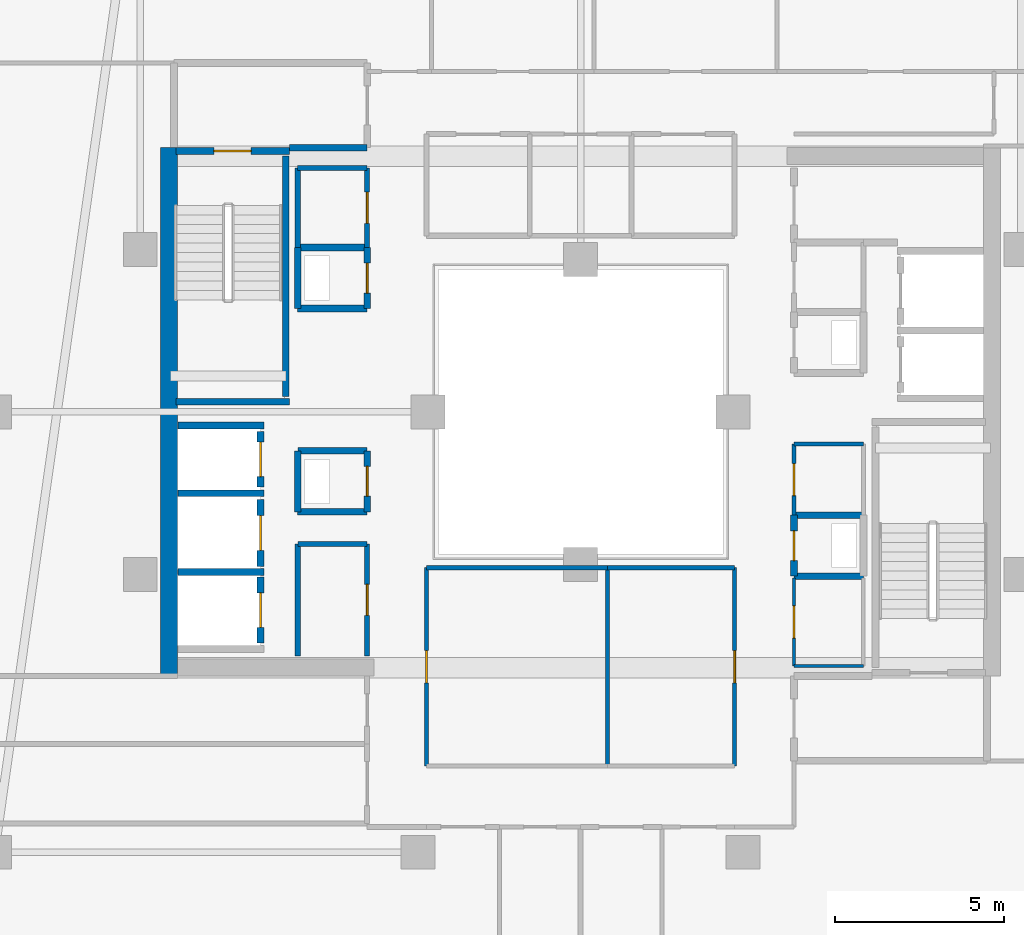
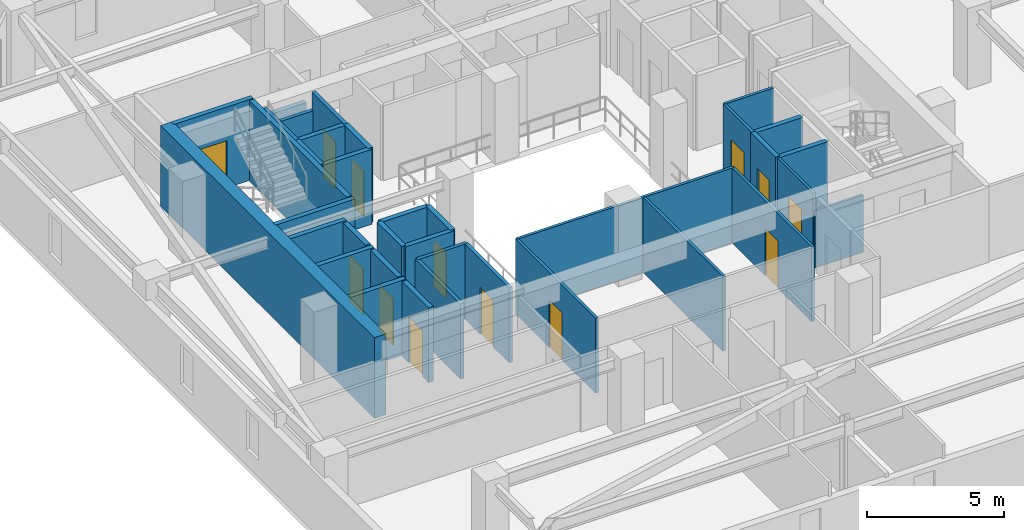
# One storey, part 23 of 32: 37 walls, 13 doors, 13 openings.
"""IFC4 building model written with IfcOpenShell, lengths in metres."""

from ifc_helpers import new_model, si_unit, direction, frame, frame_2d, origin, place, context, subcontext, project, spatial, rectangle, extrude, material, layer, layer_set, type_object, element, fill, save


model = new_model("IFC4")

# Units and contexts
model_context = context("Model", 3, precision=1e-05, world=origin(), true_north=direction((0.0, 1.0)))
body_context = subcontext(model_context, "Body", "Model", "MODEL_VIEW")
ifc_project = project(units=[si_unit("LENGTHUNIT", "METRE"), si_unit("AREAUNIT", "SQUARE_METRE"), si_unit("VOLUMEUNIT", "CUBIC_METRE"), si_unit("PLANEANGLEUNIT", "RADIAN"), si_unit("MASSUNIT", "GRAM", prefix="KILO")], contexts=[model_context])

# Site, building, storey
site_placement = place(None, origin())
site = spatial("IfcSite", under=ifc_project, at=site_placement, CompositionType="ELEMENT")
building_placement = place(site_placement, origin())
building = spatial("IfcBuilding", under=site, at=building_placement, Name="Thornwick Lancets Civic Towers", CompositionType="ELEMENT")
storey_placement = place(building_placement, frame((0.0, 0.0, 247.5)))
storey = spatial("IfcBuildingStorey", under=building, at=storey_placement, Name="L66", CompositionType="ELEMENT", Elevation=247.5)

# Wall, opening, door
ifc_material_1 = material(Name="Concrete blockwork C40/50", Category="masonry")
ifc_layer_1 = layer(ifc_material_1, 0.199951171875, Name="Concrete blockwork C40/50")
ifc_layer_set_1 = layer_set([ifc_layer_1], Name="Concrete blockwork C40/50")
wall_type_1 = type_object("IfcWallType", Name="WALL_COMP_200", PredefinedType="STANDARD", material=ifc_layer_set_1)
wall_1_placement = place(storey_placement, frame((79.050048828125, 24.780029296875, 0.0), z_axis=(0.0, 0.0, 1.0), x_axis=(0.0, 1.0, 0.0)))
wall_1 = element("IfcWall", 1, at=wall_1_placement, inside=storey, type_object=wall_type_1, Name="L66 Hoistway Front Wall FL-B2", PredefinedType="STANDARD", context=body_context, shape_type="SweptSolid", body=[
    extrude(rectangle(XDim=1.639892578125, YDim=0.199951171875, at=frame_2d((0.81982421875, 0.0))), origin(), (0.0, 0.0, 1.0), 3.340087890625),
])
opening_1_placement = place(wall_1_placement, frame((0.31005859375, 0.0, 0.0)))
opening_1 = element("IfcOpeningElement", 2, at=opening_1_placement, cuts=wall_1, Name="Opening LD-FL-B2", PredefinedType="OPENING", context=body_context, shape_type="SweptSolid", body=[
    extrude(rectangle(XDim=1.02001953125, YDim=2.06005859375, at=frame_2d((0.510009765625, 1.030029296875))), frame((0.0, 0.10986328125, 0.0), z_axis=(0.0, -1.0, 0.0), x_axis=(1.0, 0.0, 0.0)), (0.0, 0.0, 1.0), 0.219970703125),
])
ifc_material_2 = material(Name="Brushed bronze stainless steel", Category="steel")
door_type_1 = type_object("IfcDoorType", Name="DOOR_LIFT_SLIDE", OperationType="SLIDING_TO_LEFT", PredefinedType="DOOR", material=ifc_material_2)
door_1_placement = place(opening_1_placement, origin())
door_1 = element("IfcDoor", 3, at=door_1_placement, inside=storey, type_object=door_type_1, Name="L66 Sliding Lift Landing Door LD-FL-B2", OperationType="SLIDING_TO_LEFT", OverallHeight=2.06005859375, OverallWidth=1.02001953125, PredefinedType="DOOR", context=body_context, shape_type="SweptSolid", body=[
    extrude(rectangle(XDim=1.02001953125, YDim=2.06005859375, at=frame_2d((0.510009765625, 1.030029296875))), frame((0.0, 0.02490234375, 0.0), z_axis=(0.0, -1.0, 0.0), x_axis=(1.0, 0.0, 0.0)), (0.0, 0.0, 1.0), 0.050048828125),
])
fill(opening_1, door_1)

wall_2_placement = place(storey_placement, frame((79.050048828125, 22.429931640625, 0.0), z_axis=(0.0, 0.0, 1.0), x_axis=(0.0, 1.0, 0.0)))
wall_2 = element("IfcWall", 4, at=wall_2_placement, inside=storey, type_object=wall_type_1, Name="L66 Hoistway Front Wall PL-BH2", PredefinedType="STANDARD", context=body_context, shape_type="SweptSolid", body=[
    extrude(rectangle(XDim=1.989990234375, YDim=0.199951171875, at=frame_2d((0.9951171875, 0.0))), origin(), (0.0, 0.0, 1.0), 3.340087890625),
])
opening_2_placement = place(wall_2_placement, frame((0.485107421875, 0.0, 0.0)))
opening_2 = element("IfcOpeningElement", 5, at=opening_2_placement, cuts=wall_2, Name="Opening LD-PL-BH2", PredefinedType="OPENING", context=body_context, shape_type="SweptSolid", body=[
    extrude(rectangle(XDim=1.02001953125, YDim=2.06005859375, at=frame_2d((0.510009765625, 1.030029296875))), frame((0.0, 0.10986328125, 0.0), z_axis=(0.0, -1.0, 0.0), x_axis=(1.0, 0.0, 0.0)), (0.0, 0.0, 1.0), 0.219970703125),
])
door_2_placement = place(opening_2_placement, origin())
door_2 = element("IfcDoor", 6, at=door_2_placement, inside=storey, type_object=door_type_1, Name="L66 Sliding Lift Landing Door LD-PL-BH2", OperationType="SLIDING_TO_LEFT", OverallHeight=2.06005859375, OverallWidth=1.02001953125, PredefinedType="DOOR", context=body_context, shape_type="SweptSolid", body=[
    extrude(rectangle(XDim=1.02001953125, YDim=2.06005859375, at=frame_2d((0.510009765625, 1.030029296875))), frame((0.0, 0.02490234375, 0.0), z_axis=(0.0, -1.0, 0.0), x_axis=(1.0, 0.0, 0.0)), (0.0, 0.0, 1.0), 0.050048828125),
])
fill(opening_2, door_2)

wall_3_placement = place(storey_placement, frame((79.050048828125, 20.179931640625, 0.0), z_axis=(0.0, 0.0, 1.0), x_axis=(0.0, 1.0, 0.0)))
wall_3 = element("IfcWall", 7, at=wall_3_placement, inside=storey, type_object=wall_type_1, Name="L66 Hoistway Front Wall PL-BH3", PredefinedType="STANDARD", context=body_context, shape_type="SweptSolid", body=[
    extrude(rectangle(XDim=1.940185546875, YDim=0.199951171875, at=frame_2d((0.97021484375, 0.0))), origin(), (0.0, 0.0, 1.0), 3.340087890625),
])
opening_3_placement = place(wall_3_placement, frame((0.4599609375, 0.0, 0.0)))
opening_3 = element("IfcOpeningElement", 8, at=opening_3_placement, cuts=wall_3, Name="Opening LD-PL-BH3", PredefinedType="OPENING", context=body_context, shape_type="SweptSolid", body=[
    extrude(rectangle(XDim=1.02001953125, YDim=2.06005859375, at=frame_2d((0.510009765625, 1.030029296875))), frame((0.0, 0.10986328125, 0.0), z_axis=(0.0, -1.0, 0.0), x_axis=(1.0, 0.0, 0.0)), (0.0, 0.0, 1.0), 0.219970703125),
])
door_3_placement = place(opening_3_placement, origin())
door_3 = element("IfcDoor", 9, at=door_3_placement, inside=storey, type_object=door_type_1, Name="L66 Sliding Lift Landing Door LD-PL-BH3", OperationType="SLIDING_TO_LEFT", OverallHeight=2.06005859375, OverallWidth=1.02001953125, PredefinedType="DOOR", context=body_context, shape_type="SweptSolid", body=[
    extrude(rectangle(XDim=1.02001953125, YDim=2.06005859375, at=frame_2d((0.510009765625, 1.030029296875))), frame((0.0, 0.02490234375, 0.0), z_axis=(0.0, -1.0, 0.0), x_axis=(1.0, 0.0, 0.0)), (0.0, 0.0, 1.0), 0.050048828125),
])
fill(opening_3, door_3)

# Walls
for number, where, z_axis, x_axis, name in (
    (10, (76.612060546875, 26.60009765625, 0.0), (0.0, 0.0, 1.0), (1.0, 0.0, 0.0), "L66 Hoistway Shaft Wall FL-B2 N"),
    (11, (76.612060546875, 24.60009765625, 0.0), (0.0, 0.0, 1.0), (1.0, 0.0, 0.0), "L66 Hoistway Shaft Wall FL-B2 S"),
    (12, (76.612060546875, 22.27490234375, 0.0), (0.0, 0.0, 1.0), (1.0, 0.0, 0.0), "L66 Hoistway Shaft Wall PL-BH2 S"),
):
    element("IfcWall", number, at=place(storey_placement, frame(where, z_axis=z_axis, x_axis=x_axis)), inside=storey, type_object=wall_type_1, Name=name, PredefinedType="STANDARD", context=body_context, shape_type="SweptSolid", body=[
        extrude(rectangle(XDim=2.535888671875, YDim=0.199951171875, at=frame_2d((1.26806640625, 0.0))), origin(), (0.0, 0.0, 1.0), 3.340087890625),
    ])
wall_4_placement = place(storey_placement, frame((79.89990234375, 34.800048828125, 0.0), z_axis=(0.0, 0.0, 1.0), x_axis=(1.0, 0.0, 0.0)))
element("IfcWall", 13, at=wall_4_placement, inside=storey, type_object=wall_type_1, Name="L66 Partition L66-B-FFLOB2 E1", PredefinedType="STANDARD", context=body_context, shape_type="SweptSolid", body=[
    extrude(rectangle(XDim=2.300048828125, YDim=0.199951171875, at=frame_2d((1.14990234375, 0.0))), origin(), (0.0, 0.0, 1.0), 2.544921875),
])
for number, where, z_axis, x_axis, name in (
    (14, (94.800048828125, 22.14990234375, 0.0), (0.0, 0.0, 1.0), (1.0, 0.0, 0.0), "L66 Partition L66-B-RISER1 E1"),
    (15, (96.85009765625, 23.949951171875, 0.0), (0.0, 0.0, 1.0), (-1.0, 0.0, 0.0), "L66 Partition L66-B-RISER1 E3"),
):
    element("IfcWall", number, at=place(storey_placement, frame(where, z_axis=z_axis, x_axis=x_axis)), inside=storey, type_object=wall_type_1, Name=name, PredefinedType="STANDARD", context=body_context, shape_type="SweptSolid", body=[
        extrude(rectangle(XDim=2.050048828125, YDim=0.199951171875, at=frame_2d((1.02490234375, 0.0))), origin(), (0.0, 0.0, 1.0), 3.340087890625),
    ])

# Wall, opening, door
wall_5_placement = place(storey_placement, frame((94.800048828125, 23.949951171875, 0.0), z_axis=(0.0, 0.0, 1.0), x_axis=(0.0, -1.0, 0.0)))
wall_5 = element("IfcWall", 16, at=wall_5_placement, inside=storey, type_object=wall_type_1, Name="L66 Partition L66-B-RISER1 E4", PredefinedType="STANDARD", context=body_context, shape_type="SweptSolid", body=[
    extrude(rectangle(XDim=1.800048828125, YDim=0.199951171875, at=frame_2d((0.89990234375, 0.0))), origin(), (0.0, 0.0, 1.0), 3.340087890625),
])
opening_4_placement = place(wall_5_placement, frame((0.4599609375, 0.0, 0.0)))
opening_4 = element("IfcOpeningElement", 17, at=opening_4_placement, cuts=wall_5, Name="Opening D-L66-2988", PredefinedType="OPENING", context=body_context, shape_type="SweptSolid", body=[
    extrude(rectangle(XDim=0.8798828125, YDim=2.0400390625, at=frame_2d((0.43994140625, 1.02001953125))), frame((0.0, 0.10986328125, 0.0), z_axis=(0.0, -1.0, 0.0), x_axis=(1.0, 0.0, 0.0)), (0.0, 0.0, 1.0), 0.219970703125),
])
ifc_material_3 = material(Name="Steel riser access doorset", Category="steel")
door_type_2 = type_object("IfcDoorType", Name="DOOR_RISER_850", OperationType="NOTDEFINED", PredefinedType="DOOR", material=ifc_material_3)
door_4_placement = place(opening_4_placement, origin())
door_4 = element("IfcDoor", 18, at=door_4_placement, inside=storey, type_object=door_type_2, Name="L66 East Electrical Riser 1 Door", OperationType="SINGLE_SWING_LEFT", OverallHeight=2.0400390625, OverallWidth=0.8798828125, PredefinedType="DOOR", context=body_context, shape_type="SweptSolid", body=[
    extrude(rectangle(XDim=0.8798828125, YDim=2.0400390625, at=frame_2d((0.43994140625, 1.02001953125))), frame((0.0, 0.02490234375, 0.0), z_axis=(0.0, -1.0, 0.0), x_axis=(1.0, 0.0, 0.0)), (0.0, 0.0, 1.0), 0.050048828125),
])
fill(opening_4, door_4)

# Wall
wall_6_placement = place(storey_placement, frame((80.14990234375, 24.050048828125, 0.0), z_axis=(0.0, 0.0, 1.0), x_axis=(1.0, 0.0, 0.0)))
element("IfcWall", 19, at=wall_6_placement, inside=storey, type_object=wall_type_1, Name="L66 Partition L66-B-DUCT2 E1", PredefinedType="STANDARD", context=body_context, shape_type="SweptSolid", body=[
    extrude(rectangle(XDim=2.050048828125, YDim=0.199951171875, at=frame_2d((1.02490234375, 0.0))), origin(), (0.0, 0.0, 1.0), 3.340087890625),
])

# Wall, opening, door
wall_7_placement = place(storey_placement, frame((82.199951171875, 24.050048828125, 0.0), z_axis=(0.0, 0.0, 1.0), x_axis=(0.0, 1.0, 0.0)))
wall_7 = element("IfcWall", 20, at=wall_7_placement, inside=storey, type_object=wall_type_1, Name="L66 Partition L66-B-DUCT2 E2", PredefinedType="STANDARD", context=body_context, shape_type="SweptSolid", body=[
    extrude(rectangle(XDim=1.800048828125, YDim=0.199951171875, at=frame_2d((0.89990234375, 0.0))), origin(), (0.0, 0.0, 1.0), 3.340087890625),
])
opening_5_placement = place(wall_7_placement, frame((0.4599609375, 0.0, 0.0)))
opening_5 = element("IfcOpeningElement", 21, at=opening_5_placement, cuts=wall_7, Name="Opening D-L66-2989", PredefinedType="OPENING", context=body_context, shape_type="SweptSolid", body=[
    extrude(rectangle(XDim=0.8798828125, YDim=2.0400390625, at=frame_2d((0.43994140625, 1.02001953125))), frame((0.0, 0.10986328125, 0.0), z_axis=(0.0, -1.0, 0.0), x_axis=(1.0, 0.0, 0.0)), (0.0, 0.0, 1.0), 0.219970703125),
])
door_5_placement = place(opening_5_placement, origin())
door_5 = element("IfcDoor", 22, at=door_5_placement, inside=storey, type_object=door_type_2, Name="L66 West Service Duct 2 Door", OperationType="SINGLE_SWING_RIGHT", OverallHeight=2.0400390625, OverallWidth=0.8798828125, PredefinedType="DOOR", context=body_context, shape_type="SweptSolid", body=[
    extrude(rectangle(XDim=0.8798828125, YDim=2.0400390625, at=frame_2d((0.43994140625, 1.02001953125))), frame((0.0, 0.02490234375, 0.0), z_axis=(0.0, -1.0, 0.0), x_axis=(1.0, 0.0, 0.0)), (0.0, 0.0, 1.0), 0.050048828125),
])
fill(opening_5, door_5)

# Walls
wall_8_placement = place(storey_placement, frame((82.199951171875, 25.85009765625, 0.0), z_axis=(0.0, 0.0, 1.0), x_axis=(-1.0, 0.0, 0.0)))
element("IfcWall", 23, at=wall_8_placement, inside=storey, type_object=wall_type_1, Name="L66 Partition L66-B-DUCT2 E3", PredefinedType="STANDARD", context=body_context, shape_type="SweptSolid", body=[
    extrude(rectangle(XDim=2.050048828125, YDim=0.199951171875, at=frame_2d((1.02490234375, 0.0))), origin(), (0.0, 0.0, 1.0), 3.340087890625),
])
wall_9_placement = place(storey_placement, frame((80.14990234375, 25.85009765625, 0.0), z_axis=(0.0, 0.0, 1.0), x_axis=(0.0, -1.0, 0.0)))
element("IfcWall", 24, at=wall_9_placement, inside=storey, type_object=wall_type_1, Name="L66 Partition L66-B-DUCT2 E4", PredefinedType="STANDARD", context=body_context, shape_type="SweptSolid", body=[
    extrude(rectangle(XDim=1.800048828125, YDim=0.199951171875, at=frame_2d((0.89990234375, 0.0))), origin(), (0.0, 0.0, 1.0), 3.340087890625),
])
wall_10_placement = place(storey_placement, frame((80.14990234375, 30.050048828125, 0.0), z_axis=(0.0, 0.0, 1.0), x_axis=(1.0, 0.0, 0.0)))
element("IfcWall", 25, at=wall_10_placement, inside=storey, type_object=wall_type_1, Name="L66 Partition L66-B-RISER2 E1", PredefinedType="STANDARD", context=body_context, shape_type="SweptSolid", body=[
    extrude(rectangle(XDim=2.050048828125, YDim=0.199951171875, at=frame_2d((1.02490234375, 0.0))), origin(), (0.0, 0.0, 1.0), 3.340087890625),
])

# Wall, opening, door
wall_11_placement = place(storey_placement, frame((82.199951171875, 30.050048828125, 0.0), z_axis=(0.0, 0.0, 1.0), x_axis=(0.0, 1.0, 0.0)))
wall_11 = element("IfcWall", 26, at=wall_11_placement, inside=storey, type_object=wall_type_1, Name="L66 Partition L66-B-RISER2 E2", PredefinedType="STANDARD", context=body_context, shape_type="SweptSolid", body=[
    extrude(rectangle(XDim=1.800048828125, YDim=0.199951171875, at=frame_2d((0.89990234375, 0.0))), origin(), (0.0, 0.0, 1.0), 3.340087890625),
])
opening_6_placement = place(wall_11_placement, frame((0.4599609375, 0.0, 0.0)))
opening_6 = element("IfcOpeningElement", 27, at=opening_6_placement, cuts=wall_11, Name="Opening D-L66-2990", PredefinedType="OPENING", context=body_context, shape_type="SweptSolid", body=[
    extrude(rectangle(XDim=0.8798828125, YDim=2.0400390625, at=frame_2d((0.43994140625, 1.02001953125))), frame((0.0, 0.10986328125, 0.0), z_axis=(0.0, -1.0, 0.0), x_axis=(1.0, 0.0, 0.0)), (0.0, 0.0, 1.0), 0.219970703125),
])
door_6_placement = place(opening_6_placement, origin())
door_6 = element("IfcDoor", 28, at=door_6_placement, inside=storey, type_object=door_type_2, Name="L66 West Service Riser 2 Door", OperationType="SINGLE_SWING_LEFT", OverallHeight=2.0400390625, OverallWidth=0.8798828125, PredefinedType="DOOR", context=body_context, shape_type="SweptSolid", body=[
    extrude(rectangle(XDim=0.8798828125, YDim=2.0400390625, at=frame_2d((0.43994140625, 1.02001953125))), frame((0.0, 0.02490234375, 0.0), z_axis=(0.0, -1.0, 0.0), x_axis=(1.0, 0.0, 0.0)), (0.0, 0.0, 1.0), 0.050048828125),
])
fill(opening_6, door_6)

# Walls
wall_12_placement = place(storey_placement, frame((82.199951171875, 31.85009765625, 0.0), z_axis=(0.0, 0.0, 1.0), x_axis=(-1.0, 0.0, 0.0)))
element("IfcWall", 29, at=wall_12_placement, inside=storey, type_object=wall_type_1, Name="L66 Partition L66-B-RISER2 E3", PredefinedType="STANDARD", context=body_context, shape_type="SweptSolid", body=[
    extrude(rectangle(XDim=2.050048828125, YDim=0.199951171875, at=frame_2d((1.02490234375, 0.0))), origin(), (0.0, 0.0, 1.0), 3.340087890625),
])
wall_13_placement = place(storey_placement, frame((80.14990234375, 31.85009765625, 0.0), z_axis=(0.0, 0.0, 1.0), x_axis=(0.0, -1.0, 0.0)))
element("IfcWall", 30, at=wall_13_placement, inside=storey, type_object=wall_type_1, Name="L66 Partition L66-B-RISER2 E4", PredefinedType="STANDARD", context=body_context, shape_type="SweptSolid", body=[
    extrude(rectangle(XDim=1.800048828125, YDim=0.199951171875, at=frame_2d((0.89990234375, 0.0))), origin(), (0.0, 0.0, 1.0), 3.340087890625),
])
ifc_material_4 = material(Name="Concrete C50/60", Category="concrete")
ifc_layer_2 = layer(ifc_material_4, 0.5, Name="Concrete C50/60")
ifc_layer_set_2 = layer_set([ifc_layer_2], Name="Concrete C50/60")
wall_type_2 = type_object("IfcWallType", Name="WALL_CORE_500", PredefinedType="SHEAR", material=ifc_layer_set_2)
wall_14_placement = place(storey_placement, frame((76.35009765625, 19.199951171875, 0.0), z_axis=(0.0, 0.0, 1.0), x_axis=(0.0, 1.0, 0.0)))
element("IfcWall", 31, at=wall_14_placement, inside=storey, type_object=wall_type_2, Name="L66 Split Core B2 Shear Wall W", PredefinedType="SHEAR", context=body_context, shape_type="SweptSolid", body=[
    extrude(rectangle(XDim=15.60009765625, YDim=0.5, at=frame_2d((7.800048828125, 0.0))), origin(), (0.0, 0.0, 1.0), 3.60009765625),
])
ifc_material_5 = material(Name="Lightweight cellular office partition")
ifc_layer_3 = layer(ifc_material_5, 0.10009765625, Name="Lightweight cellular office partition")
ifc_layer_set_3 = layer_set([ifc_layer_3], Name="Lightweight cellular office partition")
wall_type_3 = type_object("IfcWallType", Name="WALL_PART_100", PredefinedType="PARTITIONING", material=ifc_layer_set_3)
wall_15_placement = place(storey_placement, frame((94.800048828125, 19.5, 0.0), z_axis=(0.0, 0.0, 1.0), x_axis=(1.0, 0.0, 0.0)))
element("IfcWall", 32, at=wall_15_placement, inside=storey, type_object=wall_type_3, Name="L66 Partition L66-B-CLN E1", PredefinedType="PARTITIONING", context=body_context, shape_type="SweptSolid", body=[
    extrude(rectangle(XDim=2.050048828125, YDim=0.10009765625, at=frame_2d((1.02490234375, 0.0))), origin(), (0.0, 0.0, 1.0), 2.544921875),
])

# Wall, opening, door
wall_16_placement = place(storey_placement, frame((94.800048828125, 22.10009765625, 0.0), z_axis=(0.0, 0.0, 1.0), x_axis=(0.0, -1.0, 0.0)))
wall_16 = element("IfcWall", 33, at=wall_16_placement, inside=storey, type_object=wall_type_3, Name="L66 Partition L66-B-CLN E4", PredefinedType="PARTITIONING", context=body_context, shape_type="SweptSolid", body=[
    extrude(rectangle(XDim=2.60009765625, YDim=0.10009765625, at=frame_2d((1.300048828125, 0.0))), origin(), (0.0, 0.0, 1.0), 3.340087890625),
])
opening_7_placement = place(wall_16_placement, frame((0.824951171875, 0.0, 0.0)))
opening_7 = element("IfcOpeningElement", 34, at=opening_7_placement, cuts=wall_16, Name="Opening D-L66-2991", PredefinedType="OPENING", context=body_context, shape_type="SweptSolid", body=[
    extrude(rectangle(XDim=0.949951171875, YDim=2.10009765625, at=frame_2d((0.47509765625, 1.050048828125))), frame((0.0, 0.06005859375, 0.0), z_axis=(0.0, -1.0, 0.0), x_axis=(1.0, 0.0, 0.0)), (0.0, 0.0, 1.0), 0.1201171875),
])
ifc_material_6 = material(Name="European oak acoustic doorset")
door_type_3 = type_object("IfcDoorType", Name="DOOR_OFFICE_950", OperationType="NOTDEFINED", PredefinedType="DOOR", material=ifc_material_6)
door_7_placement = place(opening_7_placement, origin())
door_7 = element("IfcDoor", 35, at=door_7_placement, inside=storey, type_object=door_type_3, Name="L66 Tower B Cleaners Store Door", OperationType="SINGLE_SWING_RIGHT", OverallHeight=2.10009765625, OverallWidth=0.949951171875, PredefinedType="DOOR", context=body_context, shape_type="SweptSolid", body=[
    extrude(rectangle(XDim=0.949951171875, YDim=2.10009765625, at=frame_2d((0.47509765625, 1.050048828125))), frame((0.0, 0.02490234375, 0.0), z_axis=(0.0, -1.0, 0.0), x_axis=(1.0, 0.0, 0.0)), (0.0, 0.0, 1.0), 0.050048828125),
])
fill(opening_7, door_7)

ifc_material_7 = material(Name="Acoustic gypsum board partition")
ifc_layer_4 = layer(ifc_material_7, 0.1201171875, Name="Acoustic gypsum board partition")
ifc_layer_set_4 = layer_set([ifc_layer_4], Name="Acoustic gypsum board partition")
wall_type_4 = type_object("IfcWallType", Name="WALL_PART_120", PredefinedType="PARTITIONING", material=ifc_layer_set_4)
wall_17_placement = place(storey_placement, frame((94.800048828125, 23.949951171875, 0.0), z_axis=(0.0, 0.0, 1.0), x_axis=(0.0, 1.0, 0.0)))
wall_17 = element("IfcWall", 36, at=wall_17_placement, inside=storey, type_object=wall_type_4, Name="L66 Partition L66-B-ITR E1", PredefinedType="PARTITIONING", context=body_context, shape_type="SweptSolid", body=[
    extrude(rectangle(XDim=2.10009765625, YDim=0.1201171875, at=frame_2d((1.050048828125, 0.0))), origin(), (0.0, 0.0, 1.0), 3.340087890625),
])
opening_8_placement = place(wall_17_placement, frame((0.574951171875, 0.0, 0.0)))
opening_8 = element("IfcOpeningElement", 37, at=opening_8_placement, cuts=wall_17, Name="Opening D-L66-2992", PredefinedType="OPENING", context=body_context, shape_type="SweptSolid", body=[
    extrude(rectangle(XDim=0.949951171875, YDim=2.10009765625, at=frame_2d((0.47509765625, 1.050048828125))), frame((0.0, 0.070068359375, 0.0), z_axis=(0.0, -1.0, 0.0), x_axis=(1.0, 0.0, 0.0)), (0.0, 0.0, 1.0), 0.14013671875),
])
door_8_placement = place(opening_8_placement, origin())
door_8 = element("IfcDoor", 38, at=door_8_placement, inside=storey, type_object=door_type_3, Name="L66 Tower B Comms Patch Room Door", OperationType="SINGLE_SWING_LEFT", OverallHeight=2.10009765625, OverallWidth=0.949951171875, PredefinedType="DOOR", context=body_context, shape_type="SweptSolid", body=[
    extrude(rectangle(XDim=0.949951171875, YDim=2.10009765625, at=frame_2d((0.47509765625, 1.050048828125))), frame((0.0, 0.02490234375, 0.0), z_axis=(0.0, -1.0, 0.0), x_axis=(1.0, 0.0, 0.0)), (0.0, 0.0, 1.0), 0.050048828125),
])
fill(opening_8, door_8)

# Walls
wall_18_placement = place(storey_placement, frame((94.800048828125, 26.050048828125, 0.0), z_axis=(0.0, 0.0, 1.0), x_axis=(1.0, 0.0, 0.0)))
element("IfcWall", 39, at=wall_18_placement, inside=storey, type_object=wall_type_4, Name="L66 Partition L66-B-ITR E2", PredefinedType="PARTITIONING", context=body_context, shape_type="SweptSolid", body=[
    extrude(rectangle(XDim=2.050048828125, YDim=0.1201171875, at=frame_2d((1.02490234375, 0.0))), origin(), (0.0, 0.0, 1.0), 3.340087890625),
])
wall_19_placement = place(storey_placement, frame((89.300048828125, 16.550048828125, 0.0), z_axis=(0.0, 0.0, 1.0), x_axis=(0.0, 1.0, 0.0)))
element("IfcWall", 40, at=wall_19_placement, inside=storey, type_object=wall_type_4, Name="L66 Partition L66-B-W3 E1", PredefinedType="PARTITIONING", context=body_context, shape_type="SweptSolid", body=[
    extrude(rectangle(XDim=5.849853515625, YDim=0.1201171875, at=frame_2d((2.9248046875, 0.0))), origin(), (0.0, 0.0, 1.0), 3.340087890625),
])
wall_20_placement = place(storey_placement, frame((89.300048828125, 22.39990234375, 0.0), z_axis=(0.0, 0.0, 1.0), x_axis=(1.0, 0.0, 0.0)))
element("IfcWall", 41, at=wall_20_placement, inside=storey, type_object=wall_type_4, Name="L66 Partition L66-B-W3 E2", PredefinedType="PARTITIONING", context=body_context, shape_type="SweptSolid", body=[
    extrude(rectangle(XDim=3.75, YDim=0.1201171875, at=frame_2d((1.875, 0.0))), origin(), (0.0, 0.0, 1.0), 3.340087890625),
])

# Wall, opening, door
wall_21_placement = place(storey_placement, frame((93.050048828125, 22.39990234375, 0.0), z_axis=(0.0, 0.0, 1.0), x_axis=(0.0, -1.0, 0.0)))
wall_21 = element("IfcWall", 42, at=wall_21_placement, inside=storey, type_object=wall_type_4, Name="L66 Partition L66-B-W3 E3", PredefinedType="PARTITIONING", context=body_context, shape_type="SweptSolid", body=[
    extrude(rectangle(XDim=5.849853515625, YDim=0.1201171875, at=frame_2d((2.9248046875, 0.0))), origin(), (0.0, 0.0, 1.0), 3.340087890625),
])
opening_9_placement = place(wall_21_placement, frame((2.449951171875, 0.0, 0.0)))
opening_9 = element("IfcOpeningElement", 43, at=opening_9_placement, cuts=wall_21, Name="Opening D-L66-3020", PredefinedType="OPENING", context=body_context, shape_type="SweptSolid", body=[
    extrude(rectangle(XDim=0.949951171875, YDim=2.10009765625, at=frame_2d((0.47509765625, 1.050048828125))), frame((0.0, 0.070068359375, 0.0), z_axis=(0.0, -1.0, 0.0), x_axis=(1.0, 0.0, 0.0)), (0.0, 0.0, 1.0), 0.14013671875),
])
door_9_placement = place(opening_9_placement, origin())
door_9 = element("IfcDoor", 44, at=door_9_placement, inside=storey, type_object=door_type_3, Name="L66 Tower B Staff Tea Pantry and Lounge Door", OperationType="SINGLE_SWING_LEFT", OverallHeight=2.10009765625, OverallWidth=0.949951171875, PredefinedType="DOOR", context=body_context, shape_type="SweptSolid", body=[
    extrude(rectangle(XDim=0.949951171875, YDim=2.10009765625, at=frame_2d((0.47509765625, 1.050048828125))), frame((0.0, 0.02490234375, 0.0), z_axis=(0.0, -1.0, 0.0), x_axis=(1.0, 0.0, 0.0)), (0.0, 0.0, 1.0), 0.050048828125),
])
fill(opening_9, door_9)

wall_22_placement = place(storey_placement, frame((83.949951171875, 16.550048828125, 0.0), z_axis=(0.0, 0.0, 1.0), x_axis=(0.0, 1.0, 0.0)))
wall_22 = element("IfcWall", 45, at=wall_22_placement, inside=storey, type_object=wall_type_4, Name="L66 Partition L66-B-W4 E1", PredefinedType="PARTITIONING", context=body_context, shape_type="SweptSolid", body=[
    extrude(rectangle(XDim=5.849853515625, YDim=0.1201171875, at=frame_2d((2.9248046875, 0.0))), origin(), (0.0, 0.0, 1.0), 3.340087890625),
])
opening_10_placement = place(wall_22_placement, frame((2.449951171875, 0.0, 0.0)))
opening_10 = element("IfcOpeningElement", 46, at=opening_10_placement, cuts=wall_22, Name="Opening D-L66-3021", PredefinedType="OPENING", context=body_context, shape_type="SweptSolid", body=[
    extrude(rectangle(XDim=0.949951171875, YDim=2.10009765625, at=frame_2d((0.47509765625, 1.050048828125))), frame((0.0, 0.070068359375, 0.0), z_axis=(0.0, -1.0, 0.0), x_axis=(1.0, 0.0, 0.0)), (0.0, 0.0, 1.0), 0.14013671875),
])
door_10_placement = place(opening_10_placement, origin())
door_10 = element("IfcDoor", 47, at=door_10_placement, inside=storey, type_object=door_type_3, Name="L66 Tower B Statutory Research Library W4 Door", OperationType="SINGLE_SWING_RIGHT", OverallHeight=2.10009765625, OverallWidth=0.949951171875, PredefinedType="DOOR", context=body_context, shape_type="SweptSolid", body=[
    extrude(rectangle(XDim=0.949951171875, YDim=2.10009765625, at=frame_2d((0.47509765625, 1.050048828125))), frame((0.0, 0.02490234375, 0.0), z_axis=(0.0, -1.0, 0.0), x_axis=(1.0, 0.0, 0.0)), (0.0, 0.0, 1.0), 0.050048828125),
])
fill(opening_10, door_10)

# Wall
wall_23_placement = place(storey_placement, frame((83.949951171875, 22.39990234375, 0.0), z_axis=(0.0, 0.0, 1.0), x_axis=(1.0, 0.0, 0.0)))
element("IfcWall", 48, at=wall_23_placement, inside=storey, type_object=wall_type_4, Name="L66 Partition L66-B-W4 E2", PredefinedType="PARTITIONING", context=body_context, shape_type="SweptSolid", body=[
    extrude(rectangle(XDim=5.35009765625, YDim=0.1201171875, at=frame_2d((2.675048828125, 0.0))), origin(), (0.0, 0.0, 1.0), 3.340087890625),
])

# Wall, opening, door
ifc_material_8 = material(Name="Twin-stud acoustic gypsum board")
ifc_layer_5 = layer(ifc_material_8, 0.14990234375, Name="Twin-stud acoustic gypsum board")
ifc_layer_set_5 = layer_set([ifc_layer_5], Name="Twin-stud acoustic gypsum board")
wall_type_5 = type_object("IfcWallType", Name="WALL_PART_150", PredefinedType="PARTITIONING", material=ifc_layer_set_5)
wall_24_placement = place(storey_placement, frame((82.199951171875, 19.800048828125, 0.0), z_axis=(0.0, 0.0, 1.0), x_axis=(0.0, 1.0, 0.0)))
wall_24 = element("IfcWall", 49, at=wall_24_placement, inside=storey, type_object=wall_type_5, Name="L66 Partition L66-B-MWC E2", PredefinedType="PARTITIONING", context=body_context, shape_type="SweptSolid", body=[
    extrude(rectangle(XDim=3.300048828125, YDim=0.14990234375, at=frame_2d((1.64990234375, 0.0))), origin(), (0.0, 0.0, 1.0), 3.340087890625),
])
opening_11_placement = place(wall_24_placement, frame((1.18994140625, 0.0, 0.0)))
opening_11 = element("IfcOpeningElement", 50, at=opening_11_placement, cuts=wall_24, Name="Opening D-L66-2995", PredefinedType="OPENING", context=body_context, shape_type="SweptSolid", body=[
    extrude(rectangle(XDim=0.919921875, YDim=2.080078125, at=frame_2d((0.4599609375, 1.0400390625))), frame((0.0, 0.0849609375, 0.0), z_axis=(0.0, -1.0, 0.0), x_axis=(1.0, 0.0, 0.0)), (0.0, 0.0, 1.0), 0.169921875),
])
ifc_material_9 = material(Name="Moisture-resistant oak doorset")
door_type_4 = type_object("IfcDoorType", Name="DOOR_WC_900", OperationType="NOTDEFINED", PredefinedType="DOOR", material=ifc_material_9)
door_11_placement = place(opening_11_placement, origin())
door_11 = element("IfcDoor", 51, at=door_11_placement, inside=storey, type_object=door_type_4, Name="L66 Tower B Male WC Door", OperationType="SINGLE_SWING_RIGHT", OverallHeight=2.080078125, OverallWidth=0.919921875, PredefinedType="DOOR", context=body_context, shape_type="SweptSolid", body=[
    extrude(rectangle(XDim=0.919921875, YDim=2.080078125, at=frame_2d((0.4599609375, 1.0400390625))), frame((0.0, 0.02490234375, 0.0), z_axis=(0.0, -1.0, 0.0), x_axis=(1.0, 0.0, 0.0)), (0.0, 0.0, 1.0), 0.050048828125),
])
fill(opening_11, door_11)

# Walls
wall_25_placement = place(storey_placement, frame((82.199951171875, 23.10009765625, 0.0), z_axis=(0.0, 0.0, 1.0), x_axis=(-1.0, 0.0, 0.0)))
element("IfcWall", 52, at=wall_25_placement, inside=storey, type_object=wall_type_5, Name="L66 Partition L66-B-MWC E3", PredefinedType="PARTITIONING", context=body_context, shape_type="SweptSolid", body=[
    extrude(rectangle(XDim=2.050048828125, YDim=0.14990234375, at=frame_2d((1.02490234375, 0.0))), origin(), (0.0, 0.0, 1.0), 3.340087890625),
])
wall_26_placement = place(storey_placement, frame((80.14990234375, 23.10009765625, 0.0), z_axis=(0.0, 0.0, 1.0), x_axis=(0.0, -1.0, 0.0)))
element("IfcWall", 53, at=wall_26_placement, inside=storey, type_object=wall_type_5, Name="L66 Partition L66-B-MWC E4", PredefinedType="PARTITIONING", context=body_context, shape_type="SweptSolid", body=[
    extrude(rectangle(XDim=3.300048828125, YDim=0.14990234375, at=frame_2d((1.64990234375, 0.0))), origin(), (0.0, 0.0, 1.0), 3.340087890625),
])
wall_27_placement = place(storey_placement, frame((80.14990234375, 31.85009765625, 0.0), z_axis=(0.0, 0.0, 1.0), x_axis=(0.0, 1.0, 0.0)))
element("IfcWall", 54, at=wall_27_placement, inside=storey, type_object=wall_type_5, Name="L66 Partition L66-B-FWC E1", PredefinedType="PARTITIONING", context=body_context, shape_type="SweptSolid", body=[
    extrude(rectangle(XDim=2.349853515625, YDim=0.14990234375, at=frame_2d((1.1748046875, 0.0))), origin(), (0.0, 0.0, 1.0), 3.340087890625),
])
wall_28_placement = place(storey_placement, frame((80.14990234375, 34.199951171875, 0.0), z_axis=(0.0, 0.0, 1.0), x_axis=(1.0, 0.0, 0.0)))
element("IfcWall", 55, at=wall_28_placement, inside=storey, type_object=wall_type_5, Name="L66 Partition L66-B-FWC E2", PredefinedType="PARTITIONING", context=body_context, shape_type="SweptSolid", body=[
    extrude(rectangle(XDim=2.050048828125, YDim=0.14990234375, at=frame_2d((1.02490234375, 0.0))), origin(), (0.0, 0.0, 1.0), 2.544921875),
])

# Wall, opening, door
wall_29_placement = place(storey_placement, frame((82.199951171875, 34.199951171875, 0.0), z_axis=(0.0, 0.0, 1.0), x_axis=(0.0, -1.0, 0.0)))
wall_29 = element("IfcWall", 56, at=wall_29_placement, inside=storey, type_object=wall_type_5, Name="L66 Partition L66-B-FWC E3", PredefinedType="PARTITIONING", context=body_context, shape_type="SweptSolid", body=[
    extrude(rectangle(XDim=2.349853515625, YDim=0.14990234375, at=frame_2d((1.1748046875, 0.0))), origin(), (0.0, 0.0, 1.0), 3.340087890625),
])
opening_12_placement = place(wall_29_placement, frame((0.715087890625, 0.0, 0.0)))
opening_12 = element("IfcOpeningElement", 57, at=opening_12_placement, cuts=wall_29, Name="Opening D-L66-2996", PredefinedType="OPENING", context=body_context, shape_type="SweptSolid", body=[
    extrude(rectangle(XDim=0.919921875, YDim=2.080078125, at=frame_2d((0.4599609375, 1.0400390625))), frame((0.0, 0.0849609375, 0.0), z_axis=(0.0, -1.0, 0.0), x_axis=(1.0, 0.0, 0.0)), (0.0, 0.0, 1.0), 0.169921875),
])
door_12_placement = place(opening_12_placement, origin())
door_12 = element("IfcDoor", 58, at=door_12_placement, inside=storey, type_object=door_type_4, Name="L66 Tower B Female WC Door", OperationType="SINGLE_SWING_LEFT", OverallHeight=2.080078125, OverallWidth=0.919921875, PredefinedType="DOOR", context=body_context, shape_type="SweptSolid", body=[
    extrude(rectangle(XDim=0.919921875, YDim=2.080078125, at=frame_2d((0.4599609375, 1.0400390625))), frame((0.0, 0.02490234375, 0.0), z_axis=(0.0, -1.0, 0.0), x_axis=(1.0, 0.0, 0.0)), (0.0, 0.0, 1.0), 0.050048828125),
])
fill(opening_12, door_12)

ifc_material_10 = material(Name="Concrete C40/50", Category="concrete")
ifc_layer_6 = layer(ifc_material_10, 0.199951171875, Name="Concrete C40/50")
ifc_layer_set_6 = layer_set([ifc_layer_6], Name="Concrete C40/50")
wall_type_6 = type_object("IfcWallType", Name="WALL_SHAFT_200", PredefinedType="SHEAR", material=ifc_layer_set_6)
wall_30_placement = place(storey_placement, frame((76.550048828125, 34.699951171875, 0.0), z_axis=(0.0, 0.0, 1.0), x_axis=(1.0, 0.0, 0.0)))
wall_30 = element("IfcWall", 59, at=wall_30_placement, inside=storey, type_object=wall_type_6, Name="L66 ST-B2 Fire Stair Core Wall NEAR", PredefinedType="SHEAR", context=body_context, shape_type="SweptSolid", body=[
    extrude(rectangle(XDim=3.349853515625, YDim=0.199951171875, at=frame_2d((1.6748046875, 0.0))), origin(), (0.0, 0.0, 1.0), 3.60009765625),
])
opening_13_placement = place(wall_30_placement, frame((1.125, 0.0, 0.0)))
opening_13 = element("IfcOpeningElement", 60, at=opening_13_placement, cuts=wall_30, Name="Opening D-ST-B2-L66", PredefinedType="OPENING", context=body_context, shape_type="SweptSolid", body=[
    extrude(rectangle(XDim=1.10009765625, YDim=2.10009765625, at=frame_2d((0.550048828125, 1.050048828125))), frame((0.0, 0.10986328125, 0.0), z_axis=(0.0, -1.0, 0.0), x_axis=(1.0, 0.0, 0.0)), (0.0, 0.0, 1.0), 0.219970703125),
])
ifc_material_11 = material(Name="Fire-resisting steel and hardwood", Category="steel")
door_type_5 = type_object("IfcDoorType", Name="DOOR_STAIR_FD60", OperationType="NOTDEFINED", PredefinedType="DOOR", material=ifc_material_11)
door_13_placement = place(opening_13_placement, origin())
door_13 = element("IfcDoor", 61, at=door_13_placement, inside=storey, type_object=door_type_5, Name="L66 ST-B2 Exit Stair Door", OperationType="SINGLE_SWING_LEFT", OverallHeight=2.10009765625, OverallWidth=1.10009765625, PredefinedType="DOOR", context=body_context, shape_type="SweptSolid", body=[
    extrude(rectangle(XDim=1.10009765625, YDim=2.10009765625, at=frame_2d((0.550048828125, 1.050048828125))), frame((0.0, 0.02490234375, 0.0), z_axis=(0.0, -1.0, 0.0), x_axis=(1.0, 0.0, 0.0)), (0.0, 0.0, 1.0), 0.050048828125),
])
fill(opening_13, door_13)

# Walls
wall_31_placement = place(storey_placement, frame((79.89990234375, 27.300048828125, 0.0), z_axis=(0.0, 0.0, 1.0), x_axis=(-1.0, 0.0, 0.0)))
element("IfcWall", 62, at=wall_31_placement, inside=storey, type_object=wall_type_6, Name="L66 ST-B2 Fire Stair Core Wall FAR", PredefinedType="SHEAR", context=body_context, shape_type="SweptSolid", body=[
    extrude(rectangle(XDim=3.349853515625, YDim=0.199951171875, at=frame_2d((1.6748046875, 0.0))), origin(), (0.0, 0.0, 1.0), 3.60009765625),
])
wall_32_placement = place(storey_placement, frame((79.797119140625, 27.449951171875, 0.0), z_axis=(0.0, 0.0, 1.0), x_axis=(0.0, 1.0, 0.0)))
element("IfcWall", 63, at=wall_32_placement, inside=storey, type_object=wall_type_6, Name="L66 ST-B2 Fire Stair Core Wall RIGHT", PredefinedType="SHEAR", context=body_context, shape_type="SweptSolid", body=[
    extrude(rectangle(XDim=7.10009765625, YDim=0.199951171875, at=frame_2d((3.550048828125, 0.0))), origin(), (0.0, 0.0, 1.0), 3.60009765625),
])

save(model, "model.ifc")
